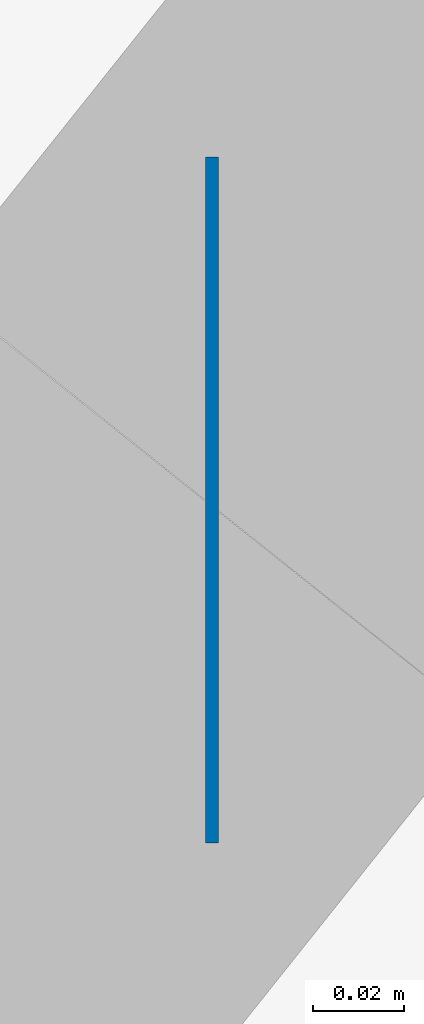
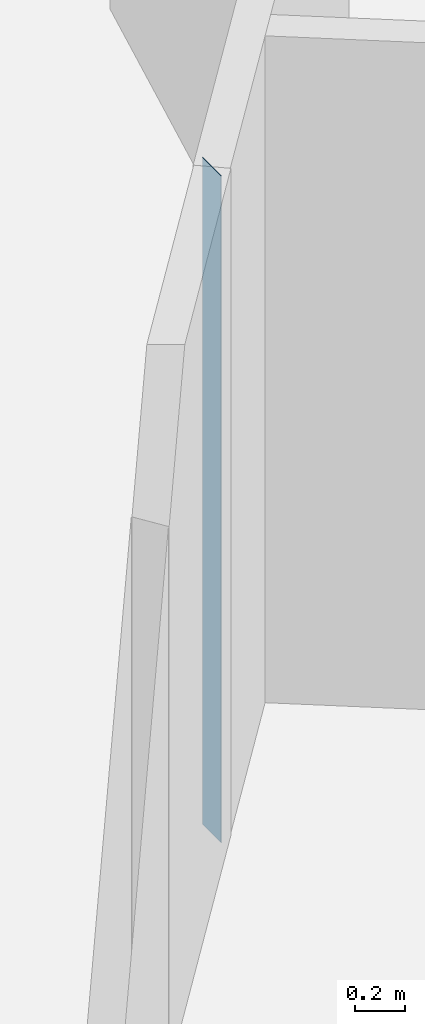
# One storey, part 4 of 12: 1 wall.
"""IFC4 building model written with IfcOpenShell, lengths in metres."""

import ifcopenshell
import ifcopenshell.guid

model = None  # the IFC model being written
_history = None  # IfcOwnerHistory: only IFC2X3 demands one
_inside = {}  # id of a spatial element -> (the spatial element, [elements in it])
_under = {}  # id of a project, library or spatial element -> (it, [spatial elements below it])
_declared = {}  # id of a project -> (the project, [libraries it declares])
_typed = {}  # id of a type object -> (the type object, [elements of that type])
_made_of = {}  # id of a material, layer set ... -> (it, [elements and type objects made of it])


def new_model(schema):
    """Start an empty IFC model of exactly this schema.

    Asked for "IFC4X3", IfcOpenShell would pick the latest addendum, in which some entities
    have other attributes; the version numbers below select the first issue.
    IFC2X3 requires an IfcOwnerHistory on every rooted entity: one is made here for all.
    """
    global model, _history
    if schema == "IFC4X3":
        model = ifcopenshell.file(schema_version=(4, 3, 0, 0))
    else:
        model = ifcopenshell.file(schema=schema)
    _inside.clear()
    _under.clear()
    _declared.clear()
    _typed.clear()
    _made_of.clear()
    _history = None
    if model.schema == "IFC2X3":
        org = make("IfcOrganization", Name="unknown")
        user = make(
            "IfcPersonAndOrganization",
            ThePerson=make("IfcPerson", FamilyName="unknown"),
            TheOrganization=org,
        )
        app = make(
            "IfcApplication",
            ApplicationDeveloper=org,
            Version="unknown",
            ApplicationFullName="unknown",
            ApplicationIdentifier="unknown",
        )
        _history = make(
            "IfcOwnerHistory",
            OwningUser=user,
            OwningApplication=app,
            ChangeAction="ADDED",
            CreationDate=0,
        )
    return model


def make(cls, **values):
    """One entity of the class cls with the attributes given. An attribute that is None is left unset."""
    return model.create_entity(
        cls, **{name: value for name, value in values.items() if value is not None}
    )


def rooted(cls, **values):
    """An entity with a GlobalId (a new one), such as an element, a storey or a relation."""
    return make(cls, GlobalId=ifcopenshell.guid.new(), OwnerHistory=_history, **values)


def si_unit(unit_type, name, prefix=None):
    """IfcSIUnit, for example si_unit("LENGTHUNIT", "METRE", prefix="MILLI")."""
    return make("IfcSIUnit", UnitType=unit_type, Prefix=prefix, Name=name)


def assignment(units):
    """IfcUnitAssignment: the units of a project."""
    return None if units is None else make("IfcUnitAssignment", Units=units)


def point(xyz):
    """IfcCartesianPoint."""
    return None if xyz is None else make("IfcCartesianPoint", Coordinates=xyz)


def direction(xyz):
    """IfcDirection."""
    return None if xyz is None else make("IfcDirection", DirectionRatios=xyz)


def frame(location, z_axis=None, x_axis=None):
    """IfcAxis2Placement3D, a coordinate frame: its origin and axes. An axis left out is left unset."""
    return make(
        "IfcAxis2Placement3D",
        Location=point(location),
        Axis=direction(z_axis),
        RefDirection=direction(x_axis),
    )


def frame_2d(location, x_axis=None):
    """IfcAxis2Placement2D, a coordinate frame in the plane: its origin and x axis."""
    return make(
        "IfcAxis2Placement2D", Location=point(location), RefDirection=direction(x_axis)
    )


def origin():
    """The frame at (0, 0, 0) with its axes left unset."""
    return frame((0.0, 0.0, 0.0))


def place(relative_to, where):
    """IfcLocalPlacement: puts the frame where relative to a parent placement (None: the world)."""
    return make(
        "IfcLocalPlacement", PlacementRelTo=relative_to, RelativePlacement=where
    )


def context(
    kind, dimensions, precision=None, world=None, true_north=None, identifier=None
):
    """IfcGeometricRepresentationContext, for example the 3D "Model" context."""
    return make(
        "IfcGeometricRepresentationContext",
        ContextIdentifier=identifier,
        ContextType=kind,
        CoordinateSpaceDimension=dimensions,
        Precision=precision,
        WorldCoordinateSystem=world,
        TrueNorth=true_north,
    )


def subcontext(parent, identifier, kind, view, scale=None):
    """IfcGeometricRepresentationSubContext, for example "Body" below "Model"."""
    return make(
        "IfcGeometricRepresentationSubContext",
        ContextIdentifier=identifier,
        ContextType=kind,
        ParentContext=parent,
        TargetScale=scale,
        TargetView=view,
    )


def project(units=None, contexts=None):
    """IfcProject with its units and contexts."""
    return rooted(
        "IfcProject",
        Name="project",
        RepresentationContexts=contexts,
        UnitsInContext=assignment(units),
    )


def spatial(cls, under=None, at=None, **own):
    """A site, building, storey or space (cls), placed at a placement, below another one or the project."""
    s = rooted(cls, ObjectPlacement=at, **own)
    if under is not None:
        _under.setdefault(under.id(), (under, []))[1].append(s)
    return s


def profile(cls, at=None, kind="AREA", **sizes):
    """A parametric profile (cls). Its sizes go by their IFC names, for example OverallWidth=200.0."""
    return make(cls, ProfileType=kind, Position=at, **sizes)


def rectangle(**sizes):
    """IfcRectangleProfileDef."""
    return profile("IfcRectangleProfileDef", **sizes)


def extrude(swept, where, along, depth):
    """IfcExtrudedAreaSolid: the profile swept, set in the frame where, extruded along a direction by depth."""
    return make(
        "IfcExtrudedAreaSolid",
        SweptArea=swept,
        Position=where,
        ExtrudedDirection=direction(along),
        Depth=depth,
    )


def shape(context_of_items, identifier, shape_type, items):
    """IfcShapeRepresentation: the items that make up one representation, for example the "Body"."""
    return make(
        "IfcShapeRepresentation",
        ContextOfItems=context_of_items,
        RepresentationIdentifier=identifier,
        RepresentationType=shape_type,
        Items=items,
    )


def material(Name=None, Category=None):
    """IfcMaterial."""
    return make("IfcMaterial", Name=Name, Category=Category)


def layer(
    of_material, thickness, ventilated=None, Name=None, Category=None, Priority=None
):
    """IfcMaterialLayer: one layer of a wall or slab, of a material (None: an air gap)."""
    return make(
        "IfcMaterialLayer",
        Material=of_material,
        LayerThickness=thickness,
        IsVentilated=ventilated,
        Name=Name,
        Category=Category,
        Priority=Priority,
    )


def layer_set(layers, Name=None):
    """IfcMaterialLayerSet."""
    return make("IfcMaterialLayerSet", MaterialLayers=layers, LayerSetName=Name)


def made_of(thing, what):
    """Note that an element or type object is made of a material, layer set ...; save() writes the relation."""
    if what is not None:
        _made_of.setdefault(what.id(), (what, []))[1].append(thing)
    return thing


def type_object(cls, material=None, **own):
    """A type object (cls), such as IfcWallType, which elements share."""
    return made_of(rooted(cls, **own), material)


def element(
    cls,
    number,
    at=None,
    inside=None,
    cuts=None,
    type_object=None,
    material=None,
    context=None,
    identifier="Body",
    shape_type=None,
    held_by="IfcProductDefinitionShape",
    body=None,
    shapes=None,
    **own,
):
    """One element of the class cls, such as IfcWall. Its Tag is "e" and its number.

    at: its placement. inside: the storey or other place that contains it. cuts: it is an
    opening in that element (IfcRelVoidsElement). A single representation is given by context,
    identifier, shape_type and body (its items); several are given by shapes. held_by: the class
    of the entity that holds the representations. save() writes the other relations.
    """
    e = rooted(cls, Tag="e%d" % number, ObjectPlacement=at, **own)
    if body is not None:
        shapes = [shape(context, identifier, shape_type, body)]
    if shapes is not None:
        e.Representation = make(held_by, Representations=shapes)
    if inside is not None:
        _inside.setdefault(inside.id(), (inside, []))[1].append(e)
    if cuts is not None:
        rooted(
            "IfcRelVoidsElement", RelatingBuildingElement=cuts, RelatedOpeningElement=e
        )
    if type_object is not None:
        _typed.setdefault(type_object.id(), (type_object, []))[1].append(e)
    return made_of(e, material)


def aggregate(whole, parts):
    """IfcRelAggregates: a whole, such as a stair, and the parts it consists of."""
    return rooted("IfcRelAggregates", RelatingObject=whole, RelatedObjects=parts)


def save(model, path):
    """Write the relations noted so far, then the file.

    IfcRelAggregates (storeys below a building ...), IfcRelContainedInSpatialStructure (elements
    in a storey), IfcRelDefinesByType, IfcRelAssociatesMaterial and IfcRelDeclares: one each for
    every whole, place, type object, material and project.
    """
    for whole, parts in _under.values():
        aggregate(whole, parts)
    for where, things in _inside.values():
        rooted(
            "IfcRelContainedInSpatialStructure",
            RelatedElements=things,
            RelatingStructure=where,
        )
    for kind, things in _typed.values():
        rooted("IfcRelDefinesByType", RelatedObjects=things, RelatingType=kind)
    for what, things in _made_of.values():
        rooted("IfcRelAssociatesMaterial", RelatedObjects=things, RelatingMaterial=what)
    for by, libraries in _declared.values():
        rooted("IfcRelDeclares", RelatingContext=by, RelatedDefinitions=libraries)
    model.write(path)


model = new_model("IFC4")

# Units and contexts
model_context = context("Model", 3, precision=1e-05, world=origin(), true_north=direction((0.0, 1.0)))
body_context = subcontext(model_context, "Body", "Model", "MODEL_VIEW")
ifc_project = project(units=[si_unit("LENGTHUNIT", "METRE"), si_unit("AREAUNIT", "SQUARE_METRE"), si_unit("VOLUMEUNIT", "CUBIC_METRE"), si_unit("PLANEANGLEUNIT", "RADIAN"), si_unit("MASSUNIT", "GRAM", prefix="KILO")], contexts=[model_context])

# Site, building, storey
site_placement = place(None, origin())
site = spatial("IfcSite", under=ifc_project, at=site_placement, CompositionType="ELEMENT")
building_placement = place(site_placement, origin())
building = spatial("IfcBuilding", under=site, at=building_placement, Name="Tracery Tower", CompositionType="ELEMENT")
storey_placement = place(building_placement, frame((0.0, 0.0, 312.60009765625)))
storey = spatial("IfcBuildingStorey", under=building, at=storey_placement, Name="L81", CompositionType="ELEMENT", Elevation=312.60009765625)

# Wall
ifc_material = material(Name="Plasterboard on steel studs", Category="steel")
ifc_layer = layer(ifc_material, 0.14990234375)
ifc_layer_set = layer_set([ifc_layer], Name="Partition 150 corridor wall")
wall_type = type_object("IfcWallType", Name="Partition 150 corridor wall", PredefinedType="PARTITIONING", material=ifc_layer_set)
wall_placement = place(storey_placement, frame((11.136962890625, -8.800048828125, 0.0), z_axis=(0.0, 0.0, 1.0), x_axis=(-1.0, 0.0, 0.0)))
element("IfcWall", 1, at=wall_placement, inside=storey, type_object=wall_type, Name="Corridor wall RC8-018", PredefinedType="PARTITIONING", context=body_context, shape_type="SweptSolid", body=[
    extrude(rectangle(XDim=0.0029296875, YDim=0.14990234375, at=frame_2d((0.00146484375, 0.0))), origin(), (0.0, 0.0, 1.0), 3.25),
])

save(model, "model.ifc")
